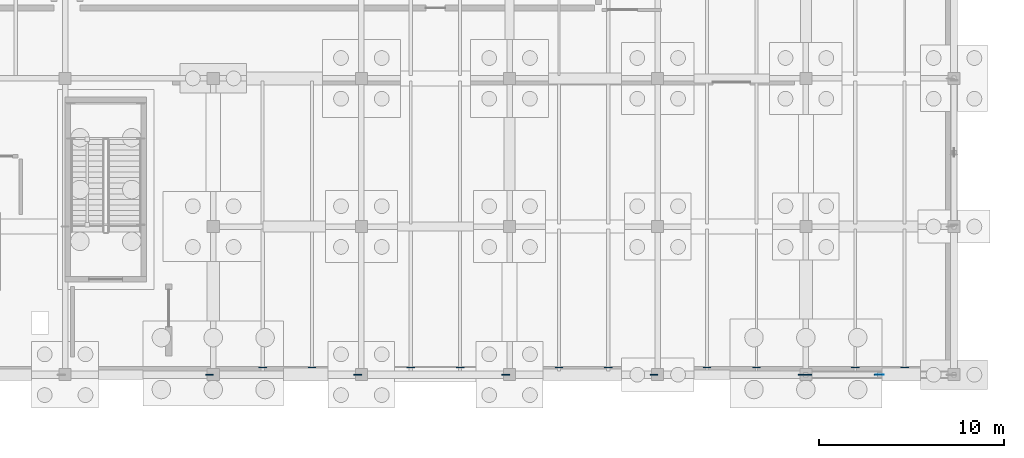
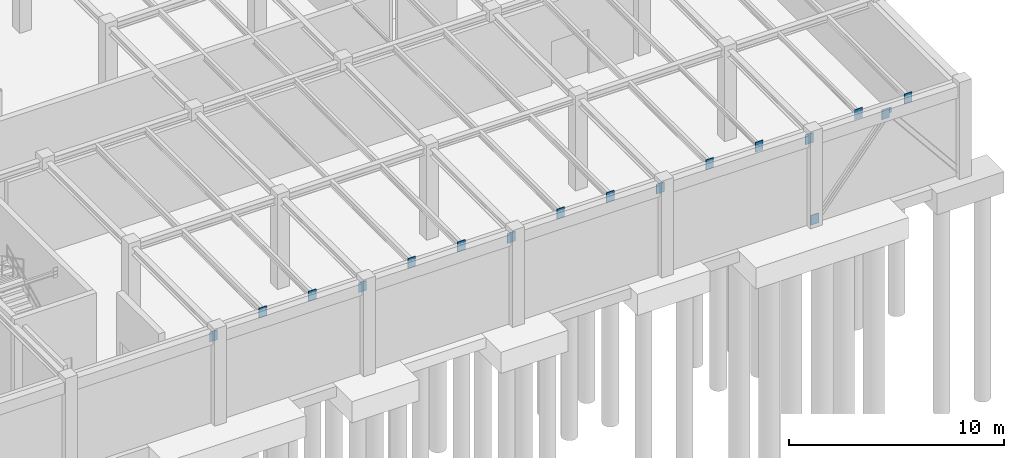
# One storey, part 45 of 71: 18 plates.
"""IFC4 building model written with IfcOpenShell, lengths in metres."""

from ifc_helpers import new_model, si_unit, direction, frame, origin, origin_2d, place, context, subcontext, project, spatial, rectangle, extrude, material, layer, layer_set, type_object, element, save


model = new_model("IFC4")

# Units and contexts
model_context = context("Model", 3, precision=1e-05, world=origin(), true_north=direction((0.0, 1.0)))
body_context = subcontext(model_context, "Body", "Model", "MODEL_VIEW")
ifc_project = project(units=[si_unit("LENGTHUNIT", "METRE"), si_unit("AREAUNIT", "SQUARE_METRE"), si_unit("VOLUMEUNIT", "CUBIC_METRE"), si_unit("PLANEANGLEUNIT", "RADIAN"), si_unit("MASSUNIT", "GRAM", prefix="KILO")], contexts=[model_context])

# Site, building, storey
site_placement = place(None, origin())
site = spatial("IfcSite", under=ifc_project, at=site_placement, CompositionType="ELEMENT")
building_placement = place(site_placement, origin())
building = spatial("IfcBuilding", under=site, at=building_placement, Name="Sundkrona Museum", CompositionType="ELEMENT")
storey_placement = place(building_placement, frame((0.0, 0.0, -5.39990234375)))
storey = spatial("IfcBuildingStorey", under=building, at=storey_placement, Name="B1", CompositionType="ELEMENT", Elevation=-5.39990234375)

# Plates
ifc_material = material(Name="Steel S355J2", Category="steel")
ifc_layer_1 = layer(ifc_material, 0.034912109375)
ifc_layer_set_1 = layer_set([ifc_layer_1], Name="Steel S355J2")
plate_type_1 = type_object("IfcPlateType", Name="EP-1", PredefinedType="USERDEFINED", material=ifc_layer_set_1)
for number, where, z_axis, x_axis, name in (
    (1, (127.800048828125, 0.0, 4.514892578125), (0.0, 0.0, 1.0), (1.0, 0.0, 0.0), "Structural Wall Cast-In Embed Plate BM-B1-X-0006-2"),
    (2, (135.800048828125, 0.0, 4.514892578125), (0.0, 0.0, 1.0), (1.0, 0.0, 0.0), "Structural Wall Cast-In Embed Plate BM-B1-X-0007-2"),
    (3, (143.800048828125, 0.0, 4.514892578125), (0.0, 0.0, 1.0), (1.0, 0.0, 0.0), "Structural Wall Cast-In Embed Plate BM-B1-X-0008-2"),
    (4, (151.800048828125, 0.0, 4.514892578125), (0.0, 0.0, 1.0), (1.0, 0.0, 0.0), "Structural Wall Cast-In Embed Plate BM-B1-X-0009-2"),
    (5, (159.800048828125, 0.0, 4.514892578125), (0.0, 0.0, 1.0), (1.0, 0.0, 0.0), "Structural Wall Cast-In Embed Plate BM-B1-X-0010-2"),
    (6, (130.666748046875, 0.385498046875, 4.639892578125), (0.0, 0.0, 1.0), (1.0, 0.0, 0.0), "Structural Wall Cast-In Embed Plate JS-B1-0190-1"),
    (7, (133.333251953125, 0.385498046875, 4.659912109375), (0.0, 0.0, 1.0), (1.0, 0.0, 0.0), "Structural Wall Cast-In Embed Plate JS-B1-0191-1"),
    (8, (138.666748046875, 0.385498046875, 4.659912109375), (0.0, 0.0, 1.0), (1.0, 0.0, 0.0), "Structural Wall Cast-In Embed Plate JS-B1-0208-1"),
    (9, (141.333251953125, 0.385498046875, 4.659912109375), (0.0, 0.0, 1.0), (1.0, 0.0, 0.0), "Structural Wall Cast-In Embed Plate JS-B1-0209-1"),
    (10, (146.666748046875, 0.385498046875, 4.659912109375), (0.0, 0.0, 1.0), (1.0, 0.0, 0.0), "Structural Wall Cast-In Embed Plate JS-B1-0236-1"),
    (11, (149.333251953125, 0.385498046875, 4.659912109375), (0.0, 0.0, 1.0), (1.0, 0.0, 0.0), "Structural Wall Cast-In Embed Plate JS-B1-0237-1"),
    (12, (154.666748046875, 0.385498046875, 4.659912109375), (0.0, 0.0, 1.0), (1.0, 0.0, 0.0), "Structural Wall Cast-In Embed Plate JS-B1-0264-1"),
    (13, (157.333251953125, 0.385498046875, 4.719970703125), (0.0, 0.0, 1.0), (1.0, 0.0, 0.0), "Structural Wall Cast-In Embed Plate JS-B1-0265-1"),
    (14, (162.666748046875, 0.385498046875, 4.704833984375), (0.0, 0.0, 1.0), (1.0, 0.0, 0.0), "Structural Wall Cast-In Embed Plate JS-B1-0290-1"),
    (15, (165.333251953125, 0.385498046875, 4.659912109375), (0.0, 0.0, 1.0), (1.0, 0.0, 0.0), "Structural Wall Cast-In Embed Plate JS-B1-0291-1"),
    (16, (160.10009765625, 0.0, -0.15771484375), (0.0, 0.0, 1.0), (1.0, 0.0, 0.0), "Structural Wall Cast-In Embed Plate BR-B1-001A-1"),
    (17, (163.89990234375, 0.0, 4.497314453125), (0.0, 0.0, 1.0), (1.0, 0.0, 0.0), "Structural Wall Cast-In Embed Plate BR-B1-001A-2"),
):
    element("IfcPlate", number, at=place(storey_placement, frame(where, z_axis=z_axis, x_axis=x_axis)), inside=storey, type_object=plate_type_1, Name=name, ObjectType="GUSSET PLATE", PredefinedType="USERDEFINED", context=body_context, shape_type="SweptSolid", body=[
        extrude(rectangle(XDim=0.419921875, YDim=0.034912109375, at=origin_2d()), origin(), (0.0, 0.0, 1.0), 0.56005859375),
    ])
ifc_layer_2 = layer(ifc_material, 0.02197265625)
ifc_layer_set_2 = layer_set([ifc_layer_2], Name="Steel S355J2")
plate_type_2 = type_object("IfcPlateType", Name="GP-5", PredefinedType="USERDEFINED", material=ifc_layer_set_2)
plate_placement = place(storey_placement, frame((164.0, 0.0, 4.744873046875), z_axis=(0.0, 0.0, 1.0), x_axis=(1.0, 0.0, 0.0)))
element("IfcPlate", 18, at=plate_placement, inside=storey, type_object=plate_type_2, Name="B1 Chevron Apex Gusset Plate 001", ObjectType="GUSSET PLATE", PredefinedType="USERDEFINED", context=body_context, shape_type="SweptSolid", body=[
    extrude(rectangle(XDim=0.43994140625, YDim=0.02197265625, at=origin_2d()), origin(), (0.0, 0.0, 1.0), 0.31005859375),
])

save(model, "model.ifc")
